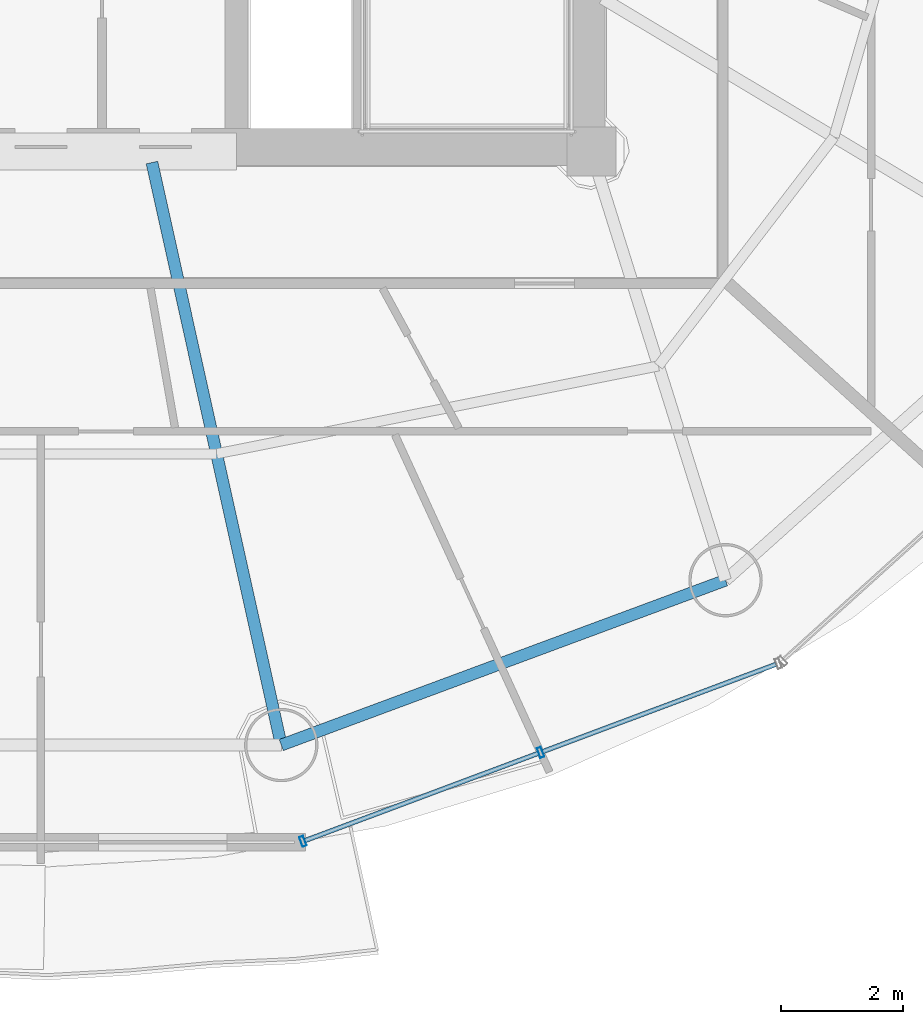
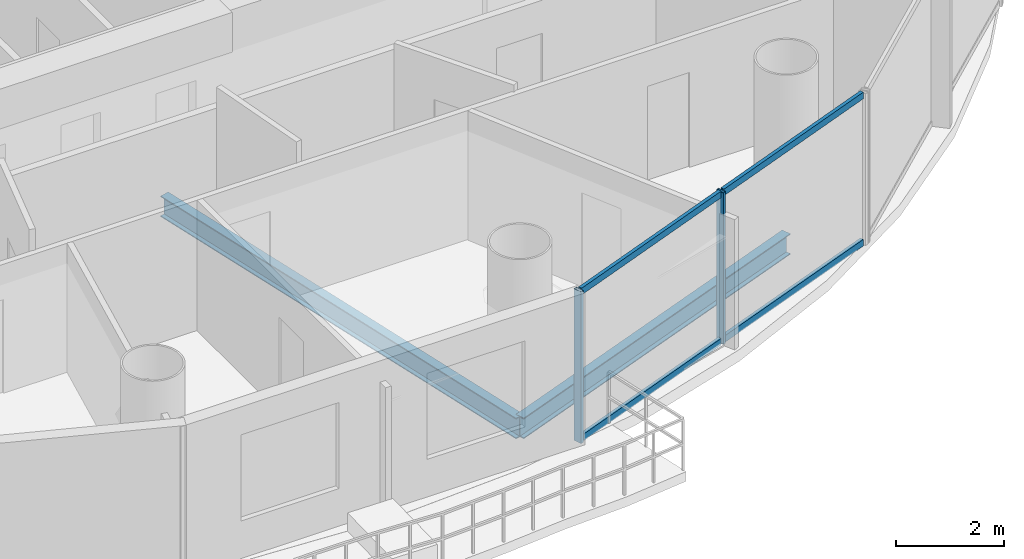
# One storey, part 5 of 26: 6 members, 2 beams, 1 element without a shape of its own.
"""IFC4 building model written with IfcOpenShell, lengths in metres."""

from ifc_helpers import new_model, si_unit, direction, frame, origin, origin_2d, place, context, subcontext, project, spatial, hollow_rectangle, i_section, extrude, source, transform, mapped, material, material_profile, profile_set, type_object, element, aggregate, save


model = new_model("IFC4")

# Units and contexts
model_context = context("Model", 3, precision=1e-05, world=origin(), true_north=direction((-0.2419218956, 0.970295726276)))
body_context = subcontext(model_context, "Body", "Model", "MODEL_VIEW")
ifc_project = project(units=[si_unit("LENGTHUNIT", "METRE"), si_unit("AREAUNIT", "SQUARE_METRE"), si_unit("VOLUMEUNIT", "CUBIC_METRE"), si_unit("PLANEANGLEUNIT", "RADIAN"), si_unit("MASSUNIT", "GRAM", prefix="KILO")], contexts=[model_context])

# Site, building, storey
site_placement = place(None, origin())
site = spatial("IfcSite", under=ifc_project, at=site_placement, CompositionType="ELEMENT")
building_placement = place(site_placement, origin())
building = spatial("IfcBuilding", under=site, at=building_placement, Name="Cobrevalo Terracotta Tower", CompositionType="ELEMENT")
storey_placement = place(building_placement, frame((0.0, 0.0, 209.699951171875)))
storey = spatial("IfcBuildingStorey", under=building, at=storey_placement, Name="L55", CompositionType="ELEMENT", Elevation=209.699951171875)

# Beams
ifc_material_1 = material(Name="Steel S355", Category="steel")
ifc_material_profile_1 = material_profile(ifc_material_1, i_section(OverallWidth=0.194091796875, OverallDepth=0.468994140625, WebThickness=0.011474609375, FlangeThickness=0.0205078125, at=origin_2d()), Name="W 460x106")
ifc_profile_set_1 = profile_set([ifc_material_profile_1], Name="Steel S355")
beam_type_1 = type_object("IfcBeamType", Name="Structural Beam W 460x106 (Steel S355)", PredefinedType="BEAM", material=ifc_profile_set_1)
beam_1_placement = place(storey_placement, frame((41.93115234375, 9.096923828125, -0.49951171875), z_axis=(-0.216782061165, 0.976220025382, 0.0), x_axis=(-0.976220025382, -0.216782061165, 0.0)))
element("IfcBeam", 1, at=beam_1_placement, inside=storey, type_object=beam_type_1, Name="L55 radial floor girder 13", PredefinedType="BEAM", context=body_context, shape_type="SweptSolid", body=[
    extrude(i_section(OverallWidth=0.194091796875, OverallDepth=0.468994140625, WebThickness=0.011474609375, FlangeThickness=0.0205078125, at=origin_2d()), origin(), (0.0, 0.0, 1.0), 9.755126953125),
])
ifc_material_profile_2 = material_profile(ifc_material_1, i_section(OverallWidth=0.194091796875, OverallDepth=0.468994140625, WebThickness=0.011474609375, FlangeThickness=0.0205078125, at=origin_2d()), Name="W 460x106")
ifc_profile_set_2 = profile_set([ifc_material_profile_2], Name="Steel S355")
beam_type_2 = type_object("IfcBeamType", Name="Structural Spandrel W 460x106 (Steel S355)", PredefinedType="SPANDREL", material=ifc_profile_set_2)
beam_2_placement = place(storey_placement, frame((41.93115234375, 9.096923828125, -0.49951171875), z_axis=(0.937545996665, 0.347861328892, 0.0), x_axis=(-0.347861328892, 0.937545996665, 0.0)))
element("IfcBeam", 2, at=beam_2_placement, inside=storey, type_object=beam_type_2, Name="L55 perimeter ring spandrel 13", PredefinedType="SPANDREL", context=body_context, shape_type="SweptSolid", body=[
    extrude(i_section(OverallWidth=0.194091796875, OverallDepth=0.468994140625, WebThickness=0.011474609375, FlangeThickness=0.0205078125, at=origin_2d()), origin(), (0.0, 0.0, 1.0), 7.74755859375),
])

# Curtain wall, members
ifc_material_2 = material(Name="Anodized aluminium", Category="aluminium")
curtain_wall_type = type_object("IfcCurtainWallType", Name="Mid-tower high-wind unitised curtain wall CW-U2", PredefinedType="NOTDEFINED", material=ifc_material_2)
curtain_wall_placement = place(storey_placement, origin())
curtain_wall = element("IfcCurtainWall", 3, at=curtain_wall_placement, inside=storey, type_object=curtain_wall_type, Name="L55 curtain wall CW-L55-S13", PredefinedType="NOTDEFINED")
ifc_material_profile_3 = material_profile(ifc_material_2, hollow_rectangle(XDim=0.074951171875, YDim=0.14990234375, WallThickness=0.00439453125, at=origin_2d()), Name="CWT 75x150")
ifc_profile_set_3 = profile_set([ifc_material_profile_3], Name="Anodized aluminium")
member_type_1 = type_object("IfcMemberType", Name="Tower unitised aluminium transom 75x150", PredefinedType="USERDEFINED", material=ifc_profile_set_3)
shared_shape_1 = source(origin(), body_context, "Body", "SweptSolid", [
    extrude(hollow_rectangle(XDim=0.074951171875, YDim=0.14990234375, WallThickness=0.00439453125, at=origin_2d()), origin(), (0.0, 0.0, 1.0), 4.069580078125),
])
member_1_placement = place(storey_placement, frame((46.20849609375, 8.990478515625, 0.050048828125), z_axis=(0.936548420649, 0.350538237259, 0.0), x_axis=(-0.350538237259, 0.936548420649, 0.0)))
member_1 = element("IfcMember", 4, at=member_1_placement, type_object=member_type_1, Name="CW-L55-S13 transom B02-T1", ObjectType="TRANSOM", PredefinedType="USERDEFINED", context=body_context, shape_type="MappedRepresentation", body=[
    mapped(shared_shape_1, transform((0.0, 0.0, 0.0), scale=1.0)),
])
member_2_placement = place(storey_placement, frame((46.20849609375, 8.990478515625, 3.385009765625), z_axis=(0.936548420649, 0.350538237259, 0.0), x_axis=(-0.350538237259, 0.936548420649, 0.0)))
member_2 = element("IfcMember", 5, at=member_2_placement, type_object=member_type_1, Name="CW-L55-S13 transom B02-T2", ObjectType="TRANSOM", PredefinedType="USERDEFINED", context=body_context, shape_type="MappedRepresentation", body=[
    mapped(shared_shape_1, transform((0.0, 0.0, 0.0), scale=1.0)),
])
shared_shape_2 = source(origin(), body_context, "Body", "SweptSolid", [
    extrude(hollow_rectangle(XDim=0.074951171875, YDim=0.14990234375, WallThickness=0.00439453125, at=origin_2d()), origin(), (0.0, 0.0, 1.0), 4.06982421875),
])
member_3_placement = place(storey_placement, frame((42.322021484375, 7.535888671875, 0.050048828125), z_axis=(0.936555791772, 0.350518542873, 0.0), x_axis=(-0.350518542873, 0.936555791772, 0.0)))
member_3 = element("IfcMember", 6, at=member_3_placement, type_object=member_type_1, Name="CW-L55-S13 transom B01-T1", ObjectType="TRANSOM", PredefinedType="USERDEFINED", context=body_context, shape_type="MappedRepresentation", body=[
    mapped(shared_shape_2, transform((0.0, 0.0, 0.0), scale=1.0)),
])
member_4_placement = place(storey_placement, frame((42.322021484375, 7.535888671875, 3.385009765625), z_axis=(0.936555791772, 0.350518542873, 0.0), x_axis=(-0.350518542873, 0.936555791772, 0.0)))
member_4 = element("IfcMember", 7, at=member_4_placement, type_object=member_type_1, Name="CW-L55-S13 transom B01-T2", ObjectType="TRANSOM", PredefinedType="USERDEFINED", context=body_context, shape_type="MappedRepresentation", body=[
    mapped(shared_shape_2, transform((0.0, 0.0, 0.0), scale=1.0)),
])
ifc_material_profile_4 = material_profile(ifc_material_2, hollow_rectangle(XDim=0.070068359375, YDim=0.169921875, WallThickness=0.00439453125, at=origin_2d()), Name="CWM 70x170")
ifc_profile_set_4 = profile_set([ifc_material_profile_4], Name="Anodized aluminium")
member_type_2 = type_object("IfcMemberType", Name="Upper tower unitised mullion 70x170", PredefinedType="MULLION", material=ifc_profile_set_4)
shared_shape_3 = source(origin(), body_context, "Body", "SweptSolid", [
    extrude(hollow_rectangle(XDim=0.070068359375, YDim=0.169921875, WallThickness=0.00439453125, at=origin_2d()), origin(), (0.0, 0.0, 1.0), 3.43505859375),
])
member_5_placement = place(storey_placement, frame((42.28466796875, 7.52197265625, 0.0), z_axis=(0.0, 0.0, 1.0), x_axis=(0.936556004584, 0.350517974259, 0.0)))
member_5 = element("IfcMember", 8, at=member_5_placement, type_object=member_type_2, Name="CW-L55-S13 vertical mullion 01", PredefinedType="MULLION", context=body_context, shape_type="MappedRepresentation", body=[
    mapped(shared_shape_3, transform((0.0, 0.0, 0.0), scale=1.0)),
])
member_6_placement = place(storey_placement, frame((46.1708984375, 8.9765625, 0.0), z_axis=(0.0, 0.0, 1.0), x_axis=(0.936556004584, 0.350517974259, 0.0)))
member_6 = element("IfcMember", 9, at=member_6_placement, type_object=member_type_2, Name="CW-L55-S13 vertical mullion 02", PredefinedType="MULLION", context=body_context, shape_type="MappedRepresentation", body=[
    mapped(shared_shape_3, transform((0.0, 0.0, 0.0), scale=1.0)),
])
aggregate(curtain_wall, [member_5, member_6, member_3, member_4, member_1, member_2])

save(model, "model.ifc")
